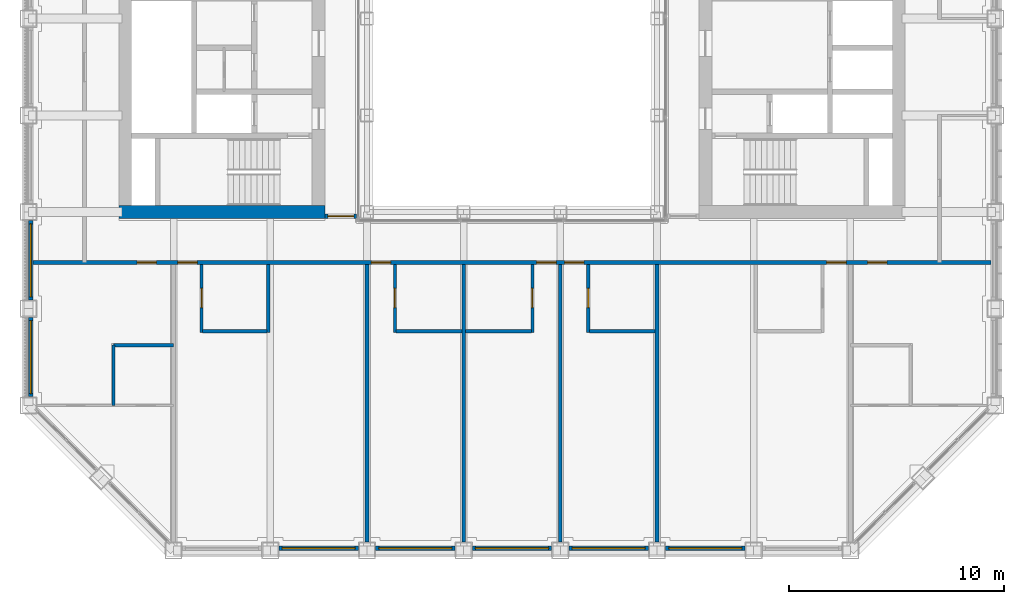
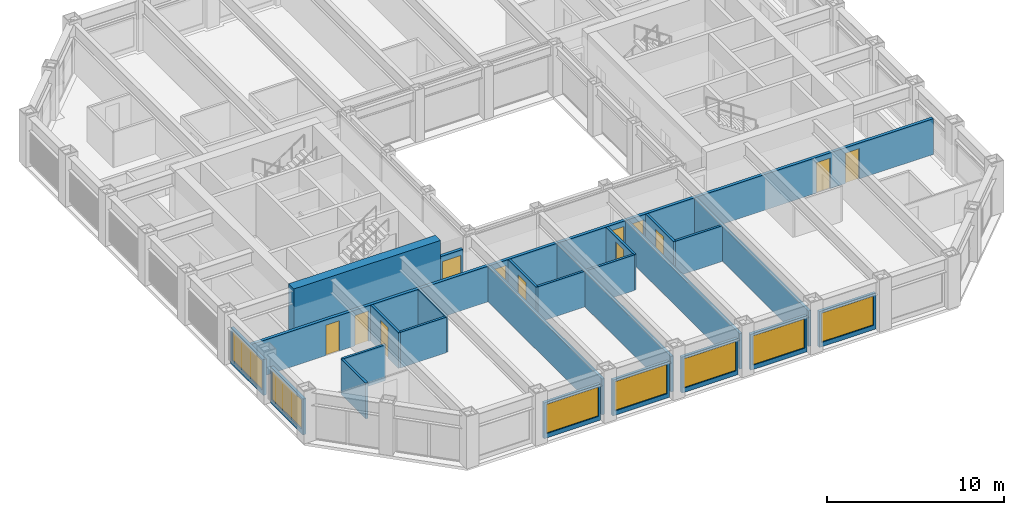
# One storey, part 10 of 17: 25 walls, 12 doors, 7 windows, 19 openings.
"""IFC4 building model written with IfcOpenShell, lengths in metres."""

from ifc_helpers import new_model, si_unit, direction, frame, frame_2d, origin, place, context, subcontext, project, spatial, rectangle, extrude, material, layer, layer_set, type_object, element, fill, save


model = new_model("IFC4")

# Units and contexts
model_context = context("Model", 3, precision=1e-05, world=origin(), true_north=direction((0.0, 1.0)))
body_context = subcontext(model_context, "Body", "Model", "MODEL_VIEW")
ifc_project = project(units=[si_unit("LENGTHUNIT", "METRE"), si_unit("AREAUNIT", "SQUARE_METRE"), si_unit("VOLUMEUNIT", "CUBIC_METRE"), si_unit("PLANEANGLEUNIT", "RADIAN"), si_unit("MASSUNIT", "GRAM", prefix="KILO")], contexts=[model_context])

# Site, building, storey
site_placement = place(None, origin())
site = spatial("IfcSite", under=ifc_project, at=site_placement, CompositionType="ELEMENT")
building_placement = place(site_placement, origin())
building = spatial("IfcBuilding", under=site, at=building_placement, Name="Msasa Ring Tower", CompositionType="ELEMENT")
storey_placement = place(building_placement, frame((0.0, 0.0, 158.0)))
storey = spatial("IfcBuildingStorey", under=building, at=storey_placement, Name="L41", CompositionType="ELEMENT", Elevation=158.0)

# Wall
ifc_material_1 = material(Name="Concrete C60/75", Category="concrete")
ifc_layer_1 = layer(ifc_material_1, 0.60009765625)
ifc_layer_set_1 = layer_set([ifc_layer_1], Name="CW2 CORE WALL 600")
wall_type_1 = type_object("IfcWallType", Name="CW2 CORE WALL 600", PredefinedType="SHEAR", material=ifc_layer_set_1)
wall_1_placement = place(storey_placement, frame((-8.699951171875, -6.75, 0.0), z_axis=(0.0, 0.0, 1.0), x_axis=(-1.0, 0.0, 0.0)))
element("IfcWall", 1, at=wall_1_placement, inside=storey, type_object=wall_type_1, Name="W core wall S L41", PredefinedType="SHEAR", context=body_context, shape_type="SweptSolid", body=[
    extrude(rectangle(XDim=9.60009765625, YDim=0.60009765625, at=frame_2d((4.800048828125, 0.0))), origin(), (0.0, 0.0, 1.0), 3.60009765625),
])

# Wall, opening, window
ifc_material_2 = material(Name="Terracotta rainscreen on blockwork", Category="masonry")
ifc_layer_2 = layer(ifc_material_2, 0.199951171875)
ifc_layer_set_2 = layer_set([ifc_layer_2], Name="FW1 TERRACOTTA-LINED INFILL BAY WALL 200")
wall_type_2 = type_object("IfcWallType", Name="FW1 TERRACOTTA-LINED INFILL BAY WALL 200", PredefinedType="SOLIDWALL", material=ifc_layer_set_2)
wall_2_placement = place(storey_placement, frame((-10.844970703125, -22.39990234375, 0.0), z_axis=(0.0, 0.0, 1.0), x_axis=(1.0, 0.0, 0.0)))
wall_2 = element("IfcWall", 2, at=wall_2_placement, inside=storey, type_object=wall_type_2, Name="Infill bay wall S L41 01", PredefinedType="SOLIDWALL", context=body_context, shape_type="SweptSolid", body=[
    extrude(rectangle(XDim=3.68994140625, YDim=0.199951171875, at=frame_2d((1.844970703125, 0.0))), origin(), (0.0, 0.0, 1.0), 2.47900390625),
])
opening_1_placement = place(wall_2_placement, frame((0.14501953125, 0.0, 0.300048828125)))
opening_1 = element("IfcOpeningElement", 3, at=opening_1_placement, cuts=wall_2, Name="Opening WN2", PredefinedType="OPENING", context=body_context, shape_type="SweptSolid", body=[
    extrude(rectangle(XDim=3.39990234375, YDim=2.029052734375, at=frame_2d((1.699951171875, 1.0146484375))), frame((0.0, 0.10986328125, 0.0), z_axis=(0.0, -1.0, 0.0), x_axis=(1.0, 0.0, 0.0)), (0.0, 0.0, 1.0), 0.219970703125),
])
ifc_material_3 = material(Name="Aluminium frame with clear glass", Category="aluminium")
window_type = type_object("IfcWindowType", Name="WN2 GUEST ROOM WINDOW 3400x2029", PartitioningType="SINGLE_PANEL", PredefinedType="WINDOW", material=ifc_material_3)
window_1_placement = place(opening_1_placement, origin())
window_1 = element("IfcWindow", 4, at=window_1_placement, inside=storey, type_object=window_type, Name="Window S L41 01", OverallHeight=2.029052734375, OverallWidth=3.39990234375, PartitioningType="SINGLE_PANEL", PredefinedType="WINDOW", context=body_context, shape_type="SweptSolid", body=[
    extrude(rectangle(XDim=3.39990234375, YDim=2.029052734375, at=frame_2d((1.699951171875, 1.0146484375))), frame((0.0, 0.030029296875, 0.0), z_axis=(0.0, -1.0, 0.0), x_axis=(1.0, 0.0, 0.0)), (0.0, 0.0, 1.0), 0.06005859375),
])
fill(opening_1, window_1)

wall_3_placement = place(storey_placement, frame((-6.344970703125, -22.39990234375, 0.0), z_axis=(0.0, 0.0, 1.0), x_axis=(1.0, 0.0, 0.0)))
wall_3 = element("IfcWall", 5, at=wall_3_placement, inside=storey, type_object=wall_type_2, Name="Infill bay wall S L41 02", PredefinedType="SOLIDWALL", context=body_context, shape_type="SweptSolid", body=[
    extrude(rectangle(XDim=3.68994140625, YDim=0.199951171875, at=frame_2d((1.844970703125, 0.0))), origin(), (0.0, 0.0, 1.0), 2.47900390625),
])
opening_2_placement = place(wall_3_placement, frame((0.14501953125, 0.0, 0.300048828125)))
opening_2 = element("IfcOpeningElement", 6, at=opening_2_placement, cuts=wall_3, Name="Opening WN2", PredefinedType="OPENING", context=body_context, shape_type="SweptSolid", body=[
    extrude(rectangle(XDim=3.39990234375, YDim=2.029052734375, at=frame_2d((1.699951171875, 1.0146484375))), frame((0.0, 0.10986328125, 0.0), z_axis=(0.0, -1.0, 0.0), x_axis=(1.0, 0.0, 0.0)), (0.0, 0.0, 1.0), 0.219970703125),
])
window_2_placement = place(opening_2_placement, origin())
window_2 = element("IfcWindow", 7, at=window_2_placement, inside=storey, type_object=window_type, Name="Window S L41 02", OverallHeight=2.029052734375, OverallWidth=3.39990234375, PartitioningType="SINGLE_PANEL", PredefinedType="WINDOW", context=body_context, shape_type="SweptSolid", body=[
    extrude(rectangle(XDim=3.39990234375, YDim=2.029052734375, at=frame_2d((1.699951171875, 1.0146484375))), frame((0.0, 0.030029296875, 0.0), z_axis=(0.0, -1.0, 0.0), x_axis=(1.0, 0.0, 0.0)), (0.0, 0.0, 1.0), 0.06005859375),
])
fill(opening_2, window_2)

wall_4_placement = place(storey_placement, frame((-1.844970703125, -22.39990234375, 0.0), z_axis=(0.0, 0.0, 1.0), x_axis=(1.0, 0.0, 0.0)))
wall_4 = element("IfcWall", 8, at=wall_4_placement, inside=storey, type_object=wall_type_2, Name="Infill bay wall S L41 03", PredefinedType="SOLIDWALL", context=body_context, shape_type="SweptSolid", body=[
    extrude(rectangle(XDim=3.68994140625, YDim=0.199951171875, at=frame_2d((1.844970703125, 0.0))), origin(), (0.0, 0.0, 1.0), 2.47900390625),
])
opening_3_placement = place(wall_4_placement, frame((0.14501953125, 0.0, 0.300048828125)))
opening_3 = element("IfcOpeningElement", 9, at=opening_3_placement, cuts=wall_4, Name="Opening WN2", PredefinedType="OPENING", context=body_context, shape_type="SweptSolid", body=[
    extrude(rectangle(XDim=3.39990234375, YDim=2.029052734375, at=frame_2d((1.699951171875, 1.0146484375))), frame((0.0, 0.10986328125, 0.0), z_axis=(0.0, -1.0, 0.0), x_axis=(1.0, 0.0, 0.0)), (0.0, 0.0, 1.0), 0.219970703125),
])
window_3_placement = place(opening_3_placement, origin())
window_3 = element("IfcWindow", 10, at=window_3_placement, inside=storey, type_object=window_type, Name="Window S L41 03", OverallHeight=2.029052734375, OverallWidth=3.39990234375, PartitioningType="SINGLE_PANEL", PredefinedType="WINDOW", context=body_context, shape_type="SweptSolid", body=[
    extrude(rectangle(XDim=3.39990234375, YDim=2.029052734375, at=frame_2d((1.699951171875, 1.0146484375))), frame((0.0, 0.030029296875, 0.0), z_axis=(0.0, -1.0, 0.0), x_axis=(1.0, 0.0, 0.0)), (0.0, 0.0, 1.0), 0.06005859375),
])
fill(opening_3, window_3)

wall_5_placement = place(storey_placement, frame((2.655029296875, -22.39990234375, 0.0), z_axis=(0.0, 0.0, 1.0), x_axis=(1.0, 0.0, 0.0)))
wall_5 = element("IfcWall", 11, at=wall_5_placement, inside=storey, type_object=wall_type_2, Name="Infill bay wall S L41 04", PredefinedType="SOLIDWALL", context=body_context, shape_type="SweptSolid", body=[
    extrude(rectangle(XDim=3.68994140625, YDim=0.199951171875, at=frame_2d((1.844970703125, 0.0))), origin(), (0.0, 0.0, 1.0), 2.47900390625),
])
opening_4_placement = place(wall_5_placement, frame((0.14501953125, 0.0, 0.300048828125)))
opening_4 = element("IfcOpeningElement", 12, at=opening_4_placement, cuts=wall_5, Name="Opening WN2", PredefinedType="OPENING", context=body_context, shape_type="SweptSolid", body=[
    extrude(rectangle(XDim=3.39990234375, YDim=2.029052734375, at=frame_2d((1.699951171875, 1.0146484375))), frame((0.0, 0.10986328125, 0.0), z_axis=(0.0, -1.0, 0.0), x_axis=(1.0, 0.0, 0.0)), (0.0, 0.0, 1.0), 0.219970703125),
])
window_4_placement = place(opening_4_placement, origin())
window_4 = element("IfcWindow", 13, at=window_4_placement, inside=storey, type_object=window_type, Name="Window S L41 04", OverallHeight=2.029052734375, OverallWidth=3.39990234375, PartitioningType="SINGLE_PANEL", PredefinedType="WINDOW", context=body_context, shape_type="SweptSolid", body=[
    extrude(rectangle(XDim=3.39990234375, YDim=2.029052734375, at=frame_2d((1.699951171875, 1.0146484375))), frame((0.0, 0.030029296875, 0.0), z_axis=(0.0, -1.0, 0.0), x_axis=(1.0, 0.0, 0.0)), (0.0, 0.0, 1.0), 0.06005859375),
])
fill(opening_4, window_4)

wall_6_placement = place(storey_placement, frame((7.155029296875, -22.39990234375, 0.0), z_axis=(0.0, 0.0, 1.0), x_axis=(1.0, 0.0, 0.0)))
wall_6 = element("IfcWall", 14, at=wall_6_placement, inside=storey, type_object=wall_type_2, Name="Infill bay wall S L41 05", PredefinedType="SOLIDWALL", context=body_context, shape_type="SweptSolid", body=[
    extrude(rectangle(XDim=3.68994140625, YDim=0.199951171875, at=frame_2d((1.844970703125, 0.0))), origin(), (0.0, 0.0, 1.0), 2.47900390625),
])
opening_5_placement = place(wall_6_placement, frame((0.14501953125, 0.0, 0.300048828125)))
opening_5 = element("IfcOpeningElement", 15, at=opening_5_placement, cuts=wall_6, Name="Opening WN2", PredefinedType="OPENING", context=body_context, shape_type="SweptSolid", body=[
    extrude(rectangle(XDim=3.39990234375, YDim=2.029052734375, at=frame_2d((1.699951171875, 1.0146484375))), frame((0.0, 0.10986328125, 0.0), z_axis=(0.0, -1.0, 0.0), x_axis=(1.0, 0.0, 0.0)), (0.0, 0.0, 1.0), 0.219970703125),
])
window_5_placement = place(opening_5_placement, origin())
window_5 = element("IfcWindow", 16, at=window_5_placement, inside=storey, type_object=window_type, Name="Window S L41 05", OverallHeight=2.029052734375, OverallWidth=3.39990234375, PartitioningType="SINGLE_PANEL", PredefinedType="WINDOW", context=body_context, shape_type="SweptSolid", body=[
    extrude(rectangle(XDim=3.39990234375, YDim=2.029052734375, at=frame_2d((1.699951171875, 1.0146484375))), frame((0.0, 0.030029296875, 0.0), z_axis=(0.0, -1.0, 0.0), x_axis=(1.0, 0.0, 0.0)), (0.0, 0.0, 1.0), 0.06005859375),
])
fill(opening_5, window_5)

wall_7_placement = place(storey_placement, frame((-22.39990234375, -15.344970703125, 0.0), z_axis=(0.0, 0.0, 1.0), x_axis=(0.0, 1.0, 0.0)))
wall_7 = element("IfcWall", 17, at=wall_7_placement, inside=storey, type_object=wall_type_2, Name="Infill bay wall W L41 27", PredefinedType="SOLIDWALL", context=body_context, shape_type="SweptSolid", body=[
    extrude(rectangle(XDim=3.68994140625, YDim=0.199951171875, at=frame_2d((1.844970703125, 0.0))), origin(), (0.0, 0.0, 1.0), 2.47900390625),
])
opening_6_placement = place(wall_7_placement, frame((0.14501953125, 0.0, 0.300048828125)))
opening_6 = element("IfcOpeningElement", 18, at=opening_6_placement, cuts=wall_7, Name="Opening WN2", PredefinedType="OPENING", context=body_context, shape_type="SweptSolid", body=[
    extrude(rectangle(XDim=3.39990234375, YDim=2.029052734375, at=frame_2d((1.699951171875, 1.0146484375))), frame((0.0, 0.10986328125, 0.0), z_axis=(0.0, -1.0, 0.0), x_axis=(1.0, 0.0, 0.0)), (0.0, 0.0, 1.0), 0.219970703125),
])
window_6_placement = place(opening_6_placement, origin())
window_6 = element("IfcWindow", 19, at=window_6_placement, inside=storey, type_object=window_type, Name="Window W L41 27", OverallHeight=2.029052734375, OverallWidth=3.39990234375, PartitioningType="SINGLE_PANEL", PredefinedType="WINDOW", context=body_context, shape_type="SweptSolid", body=[
    extrude(rectangle(XDim=3.39990234375, YDim=2.029052734375, at=frame_2d((1.699951171875, 1.0146484375))), frame((0.0, 0.030029296875, 0.0), z_axis=(0.0, -1.0, 0.0), x_axis=(1.0, 0.0, 0.0)), (0.0, 0.0, 1.0), 0.06005859375),
])
fill(opening_6, window_6)

wall_8_placement = place(storey_placement, frame((-22.39990234375, -10.844970703125, 0.0), z_axis=(0.0, 0.0, 1.0), x_axis=(0.0, 1.0, 0.0)))
wall_8 = element("IfcWall", 20, at=wall_8_placement, inside=storey, type_object=wall_type_2, Name="Infill bay wall W L41 28", PredefinedType="SOLIDWALL", context=body_context, shape_type="SweptSolid", body=[
    extrude(rectangle(XDim=3.68994140625, YDim=0.199951171875, at=frame_2d((1.844970703125, 0.0))), origin(), (0.0, 0.0, 1.0), 2.47900390625),
])
opening_7_placement = place(wall_8_placement, frame((0.14501953125, 0.0, 0.300048828125)))
opening_7 = element("IfcOpeningElement", 21, at=opening_7_placement, cuts=wall_8, Name="Opening WN2", PredefinedType="OPENING", context=body_context, shape_type="SweptSolid", body=[
    extrude(rectangle(XDim=3.39990234375, YDim=2.029052734375, at=frame_2d((1.699951171875, 1.0146484375))), frame((0.0, 0.10986328125, 0.0), z_axis=(0.0, -1.0, 0.0), x_axis=(1.0, 0.0, 0.0)), (0.0, 0.0, 1.0), 0.219970703125),
])
window_7_placement = place(opening_7_placement, origin())
window_7 = element("IfcWindow", 22, at=window_7_placement, inside=storey, type_object=window_type, Name="Window W L41 28", OverallHeight=2.029052734375, OverallWidth=3.39990234375, PartitioningType="SINGLE_PANEL", PredefinedType="WINDOW", context=body_context, shape_type="SweptSolid", body=[
    extrude(rectangle(XDim=3.39990234375, YDim=2.029052734375, at=frame_2d((1.699951171875, 1.0146484375))), frame((0.0, 0.030029296875, 0.0), z_axis=(0.0, -1.0, 0.0), x_axis=(1.0, 0.0, 0.0)), (0.0, 0.0, 1.0), 0.06005859375),
])
fill(opening_7, window_7)

# Wall, opening, door
ifc_material_4 = material(Name="Concrete blockwork", Category="masonry")
ifc_layer_3 = layer(ifc_material_4, 0.199951171875)
ifc_layer_set_3 = layer_set([ifc_layer_3], Name="PT1 CORRIDOR WALL 200")
wall_type_3 = type_object("IfcWallType", Name="PT1 CORRIDOR WALL 200", PredefinedType="PARTITIONING", material=ifc_layer_set_3)
wall_9_placement = place(storey_placement, frame((-8.699951171875, -6.949951171875, 0.0), z_axis=(0.0, 0.0, 1.0), x_axis=(1.0, 0.0, 0.0)))
wall_9 = element("IfcWall", 23, at=wall_9_placement, inside=storey, type_object=wall_type_3, Name="Corridor wall L41-SDWS", PredefinedType="PARTITIONING", context=body_context, shape_type="SweptSolid", body=[
    extrude(rectangle(XDim=1.469970703125, YDim=0.199951171875, at=frame_2d((0.73486328125, 0.0))), origin(), (0.0, 0.0, 1.0), 2.473388671875),
])
opening_8_placement = place(wall_9_placement, frame((0.135009765625, 0.0, 0.0)))
opening_8 = element("IfcOpeningElement", 24, at=opening_8_placement, cuts=wall_9, Name="Opening HD-031", PredefinedType="OPENING", context=body_context, shape_type="SweptSolid", body=[
    extrude(rectangle(XDim=1.199951171875, YDim=2.10009765625, at=frame_2d((0.60009765625, 1.050048828125))), frame((0.0, 0.10986328125, 0.0), z_axis=(0.0, -1.0, 0.0), x_axis=(1.0, 0.0, 0.0)), (0.0, 0.0, 1.0), 0.219970703125),
])
ifc_material_5 = material(Name="Timber door leaf in a steel frame", Category="steel")
door_type_1 = type_object("IfcDoorType", Name="D25 CORRIDOR PAIR OF SMOKE DOORS 1200x2100", OperationType="DOUBLE_DOOR_DOUBLE_SWING", PredefinedType="DOOR", material=ifc_material_5)
door_1_placement = place(opening_8_placement, origin())
door_1 = element("IfcDoor", 25, at=door_1_placement, inside=storey, type_object=door_type_1, Name="Door L41-SDWS", OperationType="DOUBLE_DOOR_DOUBLE_SWING", OverallHeight=2.10009765625, OverallWidth=1.199951171875, PredefinedType="DOOR", context=body_context, shape_type="SweptSolid", body=[
    extrude(rectangle(XDim=1.199951171875, YDim=2.10009765625, at=frame_2d((0.60009765625, 1.050048828125))), frame((0.0, 0.02490234375, 0.0), z_axis=(0.0, -1.0, 0.0), x_axis=(1.0, 0.0, 0.0)), (0.0, 0.0, 1.0), 0.050048828125),
])
fill(opening_8, door_1)

# Wall, openings, doors
wall_10_placement = place(storey_placement, frame((-22.300048828125, -9.10009765625, 0.0), z_axis=(0.0, 0.0, 1.0), x_axis=(1.0, 0.0, 0.0)))
wall_10 = element("IfcWall", 26, at=wall_10_placement, inside=storey, type_object=wall_type_3, Name="Corridor wall L41-CORRS0", PredefinedType="PARTITIONING", context=body_context, shape_type="SweptSolid", body=[
    extrude(rectangle(XDim=44.60009765625, YDim=0.199951171875, at=frame_2d((22.300048828125, 0.0))), origin(), (0.0, 0.0, 1.0), 2.473388671875),
])
opening_9_placement = place(wall_10_placement, frame((6.75, 0.0, 0.0)))
opening_9 = element("IfcOpeningElement", 27, at=opening_9_placement, cuts=wall_10, Name="Opening HD-034", PredefinedType="OPENING", context=body_context, shape_type="SweptSolid", body=[
    extrude(rectangle(XDim=0.89990234375, YDim=2.10009765625, at=frame_2d((0.449951171875, 1.050048828125))), frame((0.0, 0.10986328125, 0.0), z_axis=(0.0, -1.0, 0.0), x_axis=(1.0, 0.0, 0.0)), (0.0, 0.0, 1.0), 0.219970703125),
])
opening_10_placement = place(wall_10_placement, frame((15.75, 0.0, 0.0)))
opening_10 = element("IfcOpeningElement", 28, at=opening_10_placement, cuts=wall_10, Name="Opening HD-035", PredefinedType="OPENING", context=body_context, shape_type="SweptSolid", body=[
    extrude(rectangle(XDim=0.89990234375, YDim=2.10009765625, at=frame_2d((0.449951171875, 1.050048828125))), frame((0.0, 0.10986328125, 0.0), z_axis=(0.0, -1.0, 0.0), x_axis=(1.0, 0.0, 0.0)), (0.0, 0.0, 1.0), 0.219970703125),
])
opening_11_placement = place(wall_10_placement, frame((23.449951171875, 0.0, 0.0)))
opening_11 = element("IfcOpeningElement", 29, at=opening_11_placement, cuts=wall_10, Name="Opening HD-036", PredefinedType="OPENING", context=body_context, shape_type="SweptSolid", body=[
    extrude(rectangle(XDim=0.89990234375, YDim=2.10009765625, at=frame_2d((0.449951171875, 1.050048828125))), frame((0.0, 0.10986328125, 0.0), z_axis=(0.0, -1.0, 0.0), x_axis=(1.0, 0.0, 0.0)), (0.0, 0.0, 1.0), 0.219970703125),
])
opening_12_placement = place(wall_10_placement, frame((24.75, 0.0, 0.0)))
opening_12 = element("IfcOpeningElement", 30, at=opening_12_placement, cuts=wall_10, Name="Opening HD-037", PredefinedType="OPENING", context=body_context, shape_type="SweptSolid", body=[
    extrude(rectangle(XDim=0.89990234375, YDim=2.10009765625, at=frame_2d((0.449951171875, 1.050048828125))), frame((0.0, 0.10986328125, 0.0), z_axis=(0.0, -1.0, 0.0), x_axis=(1.0, 0.0, 0.0)), (0.0, 0.0, 1.0), 0.219970703125),
])
opening_13_placement = place(wall_10_placement, frame((36.949951171875, 0.0, 0.0)))
opening_13 = element("IfcOpeningElement", 31, at=opening_13_placement, cuts=wall_10, Name="Opening HD-038", PredefinedType="OPENING", context=body_context, shape_type="SweptSolid", body=[
    extrude(rectangle(XDim=0.89990234375, YDim=2.10009765625, at=frame_2d((0.449951171875, 1.050048828125))), frame((0.0, 0.10986328125, 0.0), z_axis=(0.0, -1.0, 0.0), x_axis=(1.0, 0.0, 0.0)), (0.0, 0.0, 1.0), 0.219970703125),
])
opening_14_placement = place(wall_10_placement, frame((38.85009765625, 0.0, 0.0)))
opening_14 = element("IfcOpeningElement", 32, at=opening_14_placement, cuts=wall_10, Name="Opening HD-039", PredefinedType="OPENING", context=body_context, shape_type="SweptSolid", body=[
    extrude(rectangle(XDim=0.89990234375, YDim=2.10009765625, at=frame_2d((0.449951171875, 1.050048828125))), frame((0.0, 0.10986328125, 0.0), z_axis=(0.0, -1.0, 0.0), x_axis=(1.0, 0.0, 0.0)), (0.0, 0.0, 1.0), 0.219970703125),
])
opening_15_placement = place(wall_10_placement, frame((4.85009765625, 0.0, 0.0)))
opening_15 = element("IfcOpeningElement", 33, at=opening_15_placement, cuts=wall_10, Name="Opening HD-033", PredefinedType="OPENING", context=body_context, shape_type="SweptSolid", body=[
    extrude(rectangle(XDim=0.89990234375, YDim=2.10009765625, at=frame_2d((0.449951171875, 1.050048828125))), frame((0.0, 0.10986328125, 0.0), z_axis=(0.0, -1.0, 0.0), x_axis=(1.0, 0.0, 0.0)), (0.0, 0.0, 1.0), 0.219970703125),
])
ifc_material_6 = material(Name="Timber door leaf in a steel frame", Category="steel")
door_type_2 = type_object("IfcDoorType", Name="D1 SINGLE DOOR TO CORRIDOR 900x2100", OperationType="SINGLE_SWING_LEFT", PredefinedType="DOOR", material=ifc_material_6)
door_2_placement = place(opening_9_placement, origin())
door_2 = element("IfcDoor", 34, at=door_2_placement, inside=storey, type_object=door_type_2, Name="Door L41-GS00", OperationType="SINGLE_SWING_LEFT", OverallHeight=2.10009765625, OverallWidth=0.89990234375, PredefinedType="DOOR", context=body_context, shape_type="SweptSolid", body=[
    extrude(rectangle(XDim=0.89990234375, YDim=2.10009765625, at=frame_2d((0.449951171875, 1.050048828125))), frame((0.0, 0.02490234375, 0.0), z_axis=(0.0, -1.0, 0.0), x_axis=(1.0, 0.0, 0.0)), (0.0, 0.0, 1.0), 0.050048828125),
])
fill(opening_9, door_2)
door_3_placement = place(opening_10_placement, origin())
door_3 = element("IfcDoor", 35, at=door_3_placement, inside=storey, type_object=door_type_2, Name="Door L41-GS01", OperationType="SINGLE_SWING_LEFT", OverallHeight=2.10009765625, OverallWidth=0.89990234375, PredefinedType="DOOR", context=body_context, shape_type="SweptSolid", body=[
    extrude(rectangle(XDim=0.89990234375, YDim=2.10009765625, at=frame_2d((0.449951171875, 1.050048828125))), frame((0.0, 0.02490234375, 0.0), z_axis=(0.0, -1.0, 0.0), x_axis=(1.0, 0.0, 0.0)), (0.0, 0.0, 1.0), 0.050048828125),
])
fill(opening_10, door_3)
door_4_placement = place(opening_11_placement, origin())
door_4 = element("IfcDoor", 36, at=door_4_placement, inside=storey, type_object=door_type_2, Name="Door L41-GS02", OperationType="SINGLE_SWING_RIGHT", OverallHeight=2.10009765625, OverallWidth=0.89990234375, PredefinedType="DOOR", context=body_context, shape_type="SweptSolid", body=[
    extrude(rectangle(XDim=0.89990234375, YDim=2.10009765625, at=frame_2d((0.449951171875, 1.050048828125))), frame((0.0, 0.02490234375, 0.0), z_axis=(0.0, -1.0, 0.0), x_axis=(1.0, 0.0, 0.0)), (0.0, 0.0, 1.0), 0.050048828125),
])
fill(opening_11, door_4)
door_5_placement = place(opening_12_placement, origin())
door_5 = element("IfcDoor", 37, at=door_5_placement, inside=storey, type_object=door_type_2, Name="Door L41-GS03", OperationType="SINGLE_SWING_RIGHT", OverallHeight=2.10009765625, OverallWidth=0.89990234375, PredefinedType="DOOR", context=body_context, shape_type="SweptSolid", body=[
    extrude(rectangle(XDim=0.89990234375, YDim=2.10009765625, at=frame_2d((0.449951171875, 1.050048828125))), frame((0.0, 0.02490234375, 0.0), z_axis=(0.0, -1.0, 0.0), x_axis=(1.0, 0.0, 0.0)), (0.0, 0.0, 1.0), 0.050048828125),
])
fill(opening_12, door_5)
door_6_placement = place(opening_13_placement, origin())
door_6 = element("IfcDoor", 38, at=door_6_placement, inside=storey, type_object=door_type_2, Name="Door L41-GS04", OperationType="SINGLE_SWING_RIGHT", OverallHeight=2.10009765625, OverallWidth=0.89990234375, PredefinedType="DOOR", context=body_context, shape_type="SweptSolid", body=[
    extrude(rectangle(XDim=0.89990234375, YDim=2.10009765625, at=frame_2d((0.449951171875, 1.050048828125))), frame((0.0, 0.02490234375, 0.0), z_axis=(0.0, -1.0, 0.0), x_axis=(1.0, 0.0, 0.0)), (0.0, 0.0, 1.0), 0.050048828125),
])
fill(opening_13, door_6)
ifc_material_7 = material(Name="Timber door leaf in a steel frame", Category="steel")
door_type_3 = type_object("IfcDoorType", Name="D2 ENTRANCE DOOR 900x2100", OperationType="SINGLE_SWING_LEFT", PredefinedType="DOOR", material=ifc_material_7)
door_7_placement = place(opening_14_placement, origin())
door_7 = element("IfcDoor", 39, at=door_7_placement, inside=storey, type_object=door_type_3, Name="Door L41-CSSE", OperationType="SINGLE_SWING_RIGHT", OverallHeight=2.10009765625, OverallWidth=0.89990234375, PredefinedType="DOOR", context=body_context, shape_type="SweptSolid", body=[
    extrude(rectangle(XDim=0.89990234375, YDim=2.10009765625, at=frame_2d((0.449951171875, 1.050048828125))), frame((0.0, 0.02490234375, 0.0), z_axis=(0.0, -1.0, 0.0), x_axis=(1.0, 0.0, 0.0)), (0.0, 0.0, 1.0), 0.050048828125),
])
fill(opening_14, door_7)
door_8_placement = place(opening_15_placement, origin())
door_8 = element("IfcDoor", 40, at=door_8_placement, inside=storey, type_object=door_type_3, Name="Door L41-CSSW", OperationType="SINGLE_SWING_LEFT", OverallHeight=2.10009765625, OverallWidth=0.89990234375, PredefinedType="DOOR", context=body_context, shape_type="SweptSolid", body=[
    extrude(rectangle(XDim=0.89990234375, YDim=2.10009765625, at=frame_2d((0.449951171875, 1.050048828125))), frame((0.0, 0.02490234375, 0.0), z_axis=(0.0, -1.0, 0.0), x_axis=(1.0, 0.0, 0.0)), (0.0, 0.0, 1.0), 0.050048828125),
])
fill(opening_15, door_8)

# Wall, opening, door
ifc_material_8 = material(Name="Moisture-resistant board on steel studs with a concealed cistern and pipe void, tiled", Category="steel")
ifc_layer_4 = layer(ifc_material_8, 0.14990234375)
ifc_layer_set_4 = layer_set([ifc_layer_4], Name="PT4 BATHROOM WET WALL 150")
wall_type_4 = type_object("IfcWallType", Name="PT4 BATHROOM WET WALL 150", PredefinedType="PARTITIONING", material=ifc_layer_set_4)
wall_11_placement = place(storey_placement, frame((-14.449951171875, -12.35009765625, 0.0), z_axis=(0.0, 0.0, 1.0), x_axis=(0.0, 1.0, 0.0)))
wall_11 = element("IfcWall", 41, at=wall_11_placement, inside=storey, type_object=wall_type_4, Name="Partition L41-GS00BX", PredefinedType="PARTITIONING", context=body_context, shape_type="SweptSolid", body=[
    extrude(rectangle(XDim=3.150146484375, YDim=0.14990234375, at=frame_2d((1.5751953125, 0.0))), origin(), (0.0, 0.0, 1.0), 2.473388671875),
])
opening_16_placement = place(wall_11_placement, frame((1.14990234375, 0.0, 0.0)))
opening_16 = element("IfcOpeningElement", 42, at=opening_16_placement, cuts=wall_11, Name="Opening HD-040", PredefinedType="OPENING", context=body_context, shape_type="SweptSolid", body=[
    extrude(rectangle(XDim=0.89990234375, YDim=2.10009765625, at=frame_2d((0.449951171875, 1.050048828125))), frame((0.0, 0.0849609375, 0.0), z_axis=(0.0, -1.0, 0.0), x_axis=(1.0, 0.0, 0.0)), (0.0, 0.0, 1.0), 0.169921875),
])
ifc_material_9 = material(Name="Timber door leaf in a steel frame", Category="steel")
door_type_4 = type_object("IfcDoorType", Name="D3 BATHROOM DOOR 900x2100", OperationType="SINGLE_SWING_LEFT", PredefinedType="DOOR", material=ifc_material_9)
door_9_placement = place(opening_16_placement, origin())
door_9 = element("IfcDoor", 43, at=door_9_placement, inside=storey, type_object=door_type_4, Name="Door L41-GS00B", OperationType="SINGLE_SWING_LEFT", OverallHeight=2.10009765625, OverallWidth=0.89990234375, PredefinedType="DOOR", context=body_context, shape_type="SweptSolid", body=[
    extrude(rectangle(XDim=0.89990234375, YDim=2.10009765625, at=frame_2d((0.449951171875, 1.050048828125))), frame((0.0, 0.02490234375, 0.0), z_axis=(0.0, -1.0, 0.0), x_axis=(1.0, 0.0, 0.0)), (0.0, 0.0, 1.0), 0.050048828125),
])
fill(opening_16, door_9)

# Walls
wall_12_placement = place(storey_placement, frame((-11.35009765625, -12.35009765625, 0.0), z_axis=(0.0, 0.0, 1.0), x_axis=(0.0, 1.0, 0.0)))
element("IfcWall", 44, at=wall_12_placement, inside=storey, type_object=wall_type_4, Name="Partition L41-GS00BF", PredefinedType="PARTITIONING", context=body_context, shape_type="SweptSolid", body=[
    extrude(rectangle(XDim=3.150146484375, YDim=0.14990234375, at=frame_2d((1.5751953125, 0.0))), origin(), (0.0, 0.0, 1.0), 2.473388671875),
])
wall_13_placement = place(storey_placement, frame((-14.39990234375, -12.300048828125, 0.0), z_axis=(0.0, 0.0, 1.0), x_axis=(1.0, 0.0, 0.0)))
element("IfcWall", 45, at=wall_13_placement, inside=storey, type_object=wall_type_4, Name="Partition L41-GS00BY", PredefinedType="PARTITIONING", context=body_context, shape_type="SweptSolid", body=[
    extrude(rectangle(XDim=3.0, YDim=0.14990234375, at=frame_2d((1.5, 0.0))), origin(), (0.0, 0.0, 1.0), 2.473388671875),
])

# Wall, opening, door
wall_14_placement = place(storey_placement, frame((-5.449951171875, -12.35009765625, 0.0), z_axis=(0.0, 0.0, 1.0), x_axis=(0.0, 1.0, 0.0)))
wall_14 = element("IfcWall", 46, at=wall_14_placement, inside=storey, type_object=wall_type_4, Name="Partition L41-GS01BX", PredefinedType="PARTITIONING", context=body_context, shape_type="SweptSolid", body=[
    extrude(rectangle(XDim=3.150146484375, YDim=0.14990234375, at=frame_2d((1.5751953125, 0.0))), origin(), (0.0, 0.0, 1.0), 2.473388671875),
])
opening_17_placement = place(wall_14_placement, frame((1.14990234375, 0.0, 0.0)))
opening_17 = element("IfcOpeningElement", 47, at=opening_17_placement, cuts=wall_14, Name="Opening HD-041", PredefinedType="OPENING", context=body_context, shape_type="SweptSolid", body=[
    extrude(rectangle(XDim=0.89990234375, YDim=2.10009765625, at=frame_2d((0.449951171875, 1.050048828125))), frame((0.0, 0.0849609375, 0.0), z_axis=(0.0, -1.0, 0.0), x_axis=(1.0, 0.0, 0.0)), (0.0, 0.0, 1.0), 0.169921875),
])
door_10_placement = place(opening_17_placement, origin())
door_10 = element("IfcDoor", 48, at=door_10_placement, inside=storey, type_object=door_type_4, Name="Door L41-GS01B", OperationType="SINGLE_SWING_LEFT", OverallHeight=2.10009765625, OverallWidth=0.89990234375, PredefinedType="DOOR", context=body_context, shape_type="SweptSolid", body=[
    extrude(rectangle(XDim=0.89990234375, YDim=2.10009765625, at=frame_2d((0.449951171875, 1.050048828125))), frame((0.0, 0.02490234375, 0.0), z_axis=(0.0, -1.0, 0.0), x_axis=(1.0, 0.0, 0.0)), (0.0, 0.0, 1.0), 0.050048828125),
])
fill(opening_17, door_10)

# Wall
wall_15_placement = place(storey_placement, frame((-5.39990234375, -12.300048828125, 0.0), z_axis=(0.0, 0.0, 1.0), x_axis=(1.0, 0.0, 0.0)))
element("IfcWall", 49, at=wall_15_placement, inside=storey, type_object=wall_type_4, Name="Partition L41-GS01BY", PredefinedType="PARTITIONING", context=body_context, shape_type="SweptSolid", body=[
    extrude(rectangle(XDim=3.0625, YDim=0.14990234375, at=frame_2d((1.53125, 0.0))), origin(), (0.0, 0.0, 1.0), 2.473388671875),
])

# Wall, opening, door
wall_16_placement = place(storey_placement, frame((0.949951171875, -12.35009765625, 0.0), z_axis=(0.0, 0.0, 1.0), x_axis=(0.0, 1.0, 0.0)))
wall_16 = element("IfcWall", 50, at=wall_16_placement, inside=storey, type_object=wall_type_4, Name="Partition L41-GS02BX", PredefinedType="PARTITIONING", context=body_context, shape_type="SweptSolid", body=[
    extrude(rectangle(XDim=3.150146484375, YDim=0.14990234375, at=frame_2d((1.5751953125, 0.0))), origin(), (0.0, 0.0, 1.0), 2.473388671875),
])
opening_18_placement = place(wall_16_placement, frame((1.14990234375, 0.0, 0.0)))
opening_18 = element("IfcOpeningElement", 51, at=opening_18_placement, cuts=wall_16, Name="Opening HD-042", PredefinedType="OPENING", context=body_context, shape_type="SweptSolid", body=[
    extrude(rectangle(XDim=0.89990234375, YDim=2.10009765625, at=frame_2d((0.449951171875, 1.050048828125))), frame((0.0, 0.0849609375, 0.0), z_axis=(0.0, -1.0, 0.0), x_axis=(1.0, 0.0, 0.0)), (0.0, 0.0, 1.0), 0.169921875),
])
door_11_placement = place(opening_18_placement, origin())
door_11 = element("IfcDoor", 52, at=door_11_placement, inside=storey, type_object=door_type_4, Name="Door L41-GS02B", OperationType="SINGLE_SWING_LEFT", OverallHeight=2.10009765625, OverallWidth=0.89990234375, PredefinedType="DOOR", context=body_context, shape_type="SweptSolid", body=[
    extrude(rectangle(XDim=0.89990234375, YDim=2.10009765625, at=frame_2d((0.449951171875, 1.050048828125))), frame((0.0, 0.02490234375, 0.0), z_axis=(0.0, -1.0, 0.0), x_axis=(1.0, 0.0, 0.0)), (0.0, 0.0, 1.0), 0.050048828125),
])
fill(opening_18, door_11)

# Wall
wall_17_placement = place(storey_placement, frame((-2.16259765625, -12.300048828125, 0.0), z_axis=(0.0, 0.0, 1.0), x_axis=(1.0, 0.0, 0.0)))
element("IfcWall", 53, at=wall_17_placement, inside=storey, type_object=wall_type_4, Name="Partition L41-GS02BY", PredefinedType="PARTITIONING", context=body_context, shape_type="SweptSolid", body=[
    extrude(rectangle(XDim=3.0625, YDim=0.14990234375, at=frame_2d((1.53125, 0.0))), origin(), (0.0, 0.0, 1.0), 2.473388671875),
])

# Wall, opening, door
wall_18_placement = place(storey_placement, frame((3.550048828125, -12.35009765625, 0.0), z_axis=(0.0, 0.0, 1.0), x_axis=(0.0, 1.0, 0.0)))
wall_18 = element("IfcWall", 54, at=wall_18_placement, inside=storey, type_object=wall_type_4, Name="Partition L41-GS03BX", PredefinedType="PARTITIONING", context=body_context, shape_type="SweptSolid", body=[
    extrude(rectangle(XDim=3.150146484375, YDim=0.14990234375, at=frame_2d((1.5751953125, 0.0))), origin(), (0.0, 0.0, 1.0), 2.473388671875),
])
opening_19_placement = place(wall_18_placement, frame((1.14990234375, 0.0, 0.0)))
opening_19 = element("IfcOpeningElement", 55, at=opening_19_placement, cuts=wall_18, Name="Opening HD-043", PredefinedType="OPENING", context=body_context, shape_type="SweptSolid", body=[
    extrude(rectangle(XDim=0.89990234375, YDim=2.10009765625, at=frame_2d((0.449951171875, 1.050048828125))), frame((0.0, 0.0849609375, 0.0), z_axis=(0.0, -1.0, 0.0), x_axis=(1.0, 0.0, 0.0)), (0.0, 0.0, 1.0), 0.169921875),
])
door_12_placement = place(opening_19_placement, origin())
door_12 = element("IfcDoor", 56, at=door_12_placement, inside=storey, type_object=door_type_4, Name="Door L41-GS03B", OperationType="SINGLE_SWING_LEFT", OverallHeight=2.10009765625, OverallWidth=0.89990234375, PredefinedType="DOOR", context=body_context, shape_type="SweptSolid", body=[
    extrude(rectangle(XDim=0.89990234375, YDim=2.10009765625, at=frame_2d((0.449951171875, 1.050048828125))), frame((0.0, 0.02490234375, 0.0), z_axis=(0.0, -1.0, 0.0), x_axis=(1.0, 0.0, 0.0)), (0.0, 0.0, 1.0), 0.050048828125),
])
fill(opening_19, door_12)

# Walls
wall_19_placement = place(storey_placement, frame((3.60009765625, -12.300048828125, 0.0), z_axis=(0.0, 0.0, 1.0), x_axis=(1.0, 0.0, 0.0)))
element("IfcWall", 57, at=wall_19_placement, inside=storey, type_object=wall_type_4, Name="Partition L41-GS03BY", PredefinedType="PARTITIONING", context=body_context, shape_type="SweptSolid", body=[
    extrude(rectangle(XDim=3.0625, YDim=0.14990234375, at=frame_2d((1.53125, 0.0))), origin(), (0.0, 0.0, 1.0), 2.473388671875),
])
for number, where, z_axis, x_axis, name in (
    (58, (-18.550048828125, -15.75, 0.0), (0.0, 0.0, 1.0), (0.0, 1.0, 0.0), "Partition L41-CSSWBX"),
    (59, (-18.550048828125, -12.949951171875, 0.0), (0.0, 0.0, 1.0), (1.0, 0.0, 0.0), "Partition L41-CSSWBY"),
):
    element("IfcWall", number, at=place(storey_placement, frame(where, z_axis=z_axis, x_axis=x_axis)), inside=storey, type_object=wall_type_4, Name=name, PredefinedType="PARTITIONING", context=body_context, shape_type="SweptSolid", body=[
        extrude(rectangle(XDim=2.800048828125, YDim=0.14990234375, at=frame_2d((1.39990234375, 0.0))), origin(), (0.0, 0.0, 1.0), 2.473388671875),
    ])
ifc_material_10 = material(Name="Twin steel studs, two layers of acoustic board each face, mineral wool", Category="steel")
ifc_layer_5 = layer(ifc_material_10, 0.175048828125)
ifc_layer_set_5 = layer_set([ifc_layer_5], Name="PT5 GUEST ROOM SEPARATING WALL 175")
wall_type_5 = type_object("IfcWallType", Name="PT5 GUEST ROOM SEPARATING WALL 175", PredefinedType="PARTITIONING", material=ifc_layer_set_5)
for number, where, z_axis, x_axis, name in (
    (60, (-6.75, -22.10009765625, 0.0), (0.0, 0.0, 1.0), (0.0, 1.0, 0.0), "Partition L41-PWS-6.75"),
    (61, (-2.25, -22.10009765625, 0.0), (0.0, 0.0, 1.0), (0.0, 1.0, 0.0), "Partition L41-PWS-2.25"),
    (62, (2.25, -22.10009765625, 0.0), (0.0, 0.0, 1.0), (0.0, 1.0, 0.0), "Partition L41-PWS+2.25"),
    (63, (6.75, -22.10009765625, 0.0), (0.0, 0.0, 1.0), (0.0, 1.0, 0.0), "Partition L41-PWS+6.75"),
):
    element("IfcWall", number, at=place(storey_placement, frame(where, z_axis=z_axis, x_axis=x_axis)), inside=storey, type_object=wall_type_5, Name=name, PredefinedType="PARTITIONING", context=body_context, shape_type="SweptSolid", body=[
        extrude(rectangle(XDim=12.900146484375, YDim=0.175048828125, at=frame_2d((6.4501953125, 0.0))), origin(), (0.0, 0.0, 1.0), 2.473388671875),
    ])

save(model, "model.ifc")
